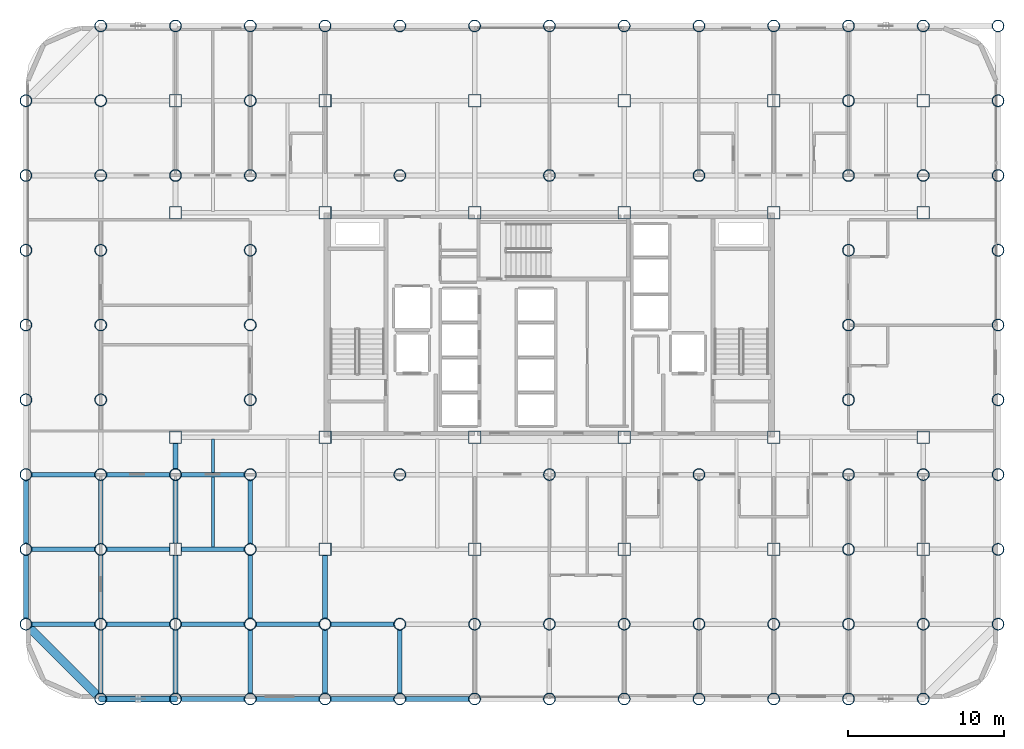
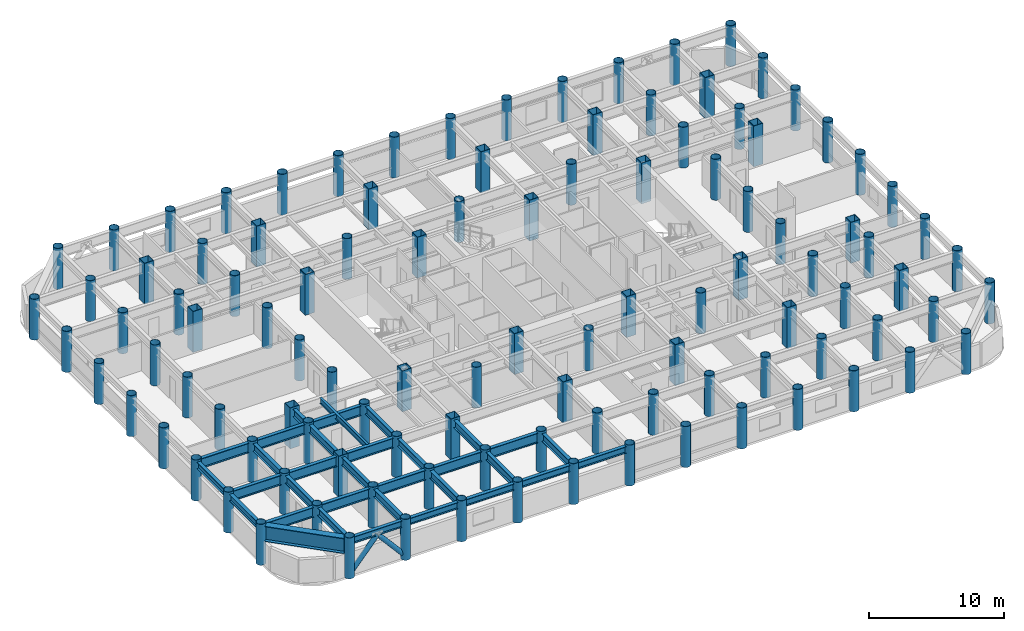
# One storey, part 1 of 21: 108 columns, 33 beams, 2 members.
"""IFC4 building model written with IfcOpenShell, lengths in metres."""

from ifc_helpers import new_model, si_unit, direction, frame, origin, origin_2d, place, context, subcontext, project, spatial, hollow_rectangle, hollow_circle, i_section, extrude, material, material_profile, profile_set, type_object, element, save


model = new_model("IFC4")

# Units and contexts
model_context = context("Model", 3, precision=1e-05, world=origin(), true_north=direction((0.0, 1.0)))
body_context = subcontext(model_context, "Body", "Model", "MODEL_VIEW")
ifc_project = project(units=[si_unit("LENGTHUNIT", "METRE"), si_unit("AREAUNIT", "SQUARE_METRE"), si_unit("VOLUMEUNIT", "CUBIC_METRE"), si_unit("PLANEANGLEUNIT", "RADIAN"), si_unit("MASSUNIT", "GRAM", prefix="KILO")], contexts=[model_context])

# Site, building, storey
site_placement = place(None, origin())
site = spatial("IfcSite", under=ifc_project, at=site_placement, CompositionType="ELEMENT")
building_placement = place(site_placement, origin())
building = spatial("IfcBuilding", under=site, at=building_placement, Name="Kallvorn Hotel Tower", CompositionType="ELEMENT")
storey_placement = place(building_placement, frame((0.0, 0.0, 41.10009765625)))
storey = spatial("IfcBuildingStorey", under=building, at=storey_placement, Name="L08", CompositionType="ELEMENT", Elevation=41.10009765625)

# Columns
ifc_material_1 = material(Name="Structural steel S355J2H", Category="steel")
ifc_material_profile_1 = material_profile(ifc_material_1, hollow_circle(Radius=0.381103515625, WallThickness=0.031982421875, at=origin_2d()), Name="CHS 762x32")
ifc_profile_set_1 = profile_set([ifc_material_profile_1], Name="Structural steel S355J2H")
column_type_1 = type_object("IfcColumnType", Name="COL_CHS_762", PredefinedType="COLUMN", material=ifc_profile_set_1)
for number, where, z_axis, x_axis, name in (
    (1, (-33.60009765625, -19.199951171875, 0.0), (0.0, 0.0, 1.0), (1.0, 0.0, 0.0), "L08 Exoskeleton Column EC01"),
    (2, (-33.60009765625, -14.39990234375, 0.0), (0.0, 0.0, 1.0), (1.0, 0.0, 0.0), "L08 Exoskeleton Column EC02"),
    (3, (-33.60009765625, -9.60009765625, 0.0), (0.0, 0.0, 1.0), (1.0, 0.0, 0.0), "L08 Exoskeleton Column EC03"),
    (4, (-33.60009765625, -4.800048828125, 0.0), (0.0, 0.0, 1.0), (1.0, 0.0, 0.0), "L08 Exoskeleton Column EC04"),
    (5, (-33.60009765625, 0.0, 0.0), (0.0, 0.0, 1.0), (1.0, 0.0, 0.0), "L08 Exoskeleton Column EC05"),
    (6, (-33.60009765625, 4.800048828125, 0.0), (0.0, 0.0, 1.0), (1.0, 0.0, 0.0), "L08 Exoskeleton Column EC06"),
    (7, (-33.60009765625, 9.60009765625, 0.0), (0.0, 0.0, 1.0), (1.0, 0.0, 0.0), "L08 Exoskeleton Column EC07"),
    (8, (-33.60009765625, 14.39990234375, 0.0), (0.0, 0.0, 1.0), (1.0, 0.0, 0.0), "L08 Exoskeleton Column EC08"),
    (9, (-28.800048828125, -24.0, 0.0), (0.0, 0.0, 1.0), (1.0, 0.0, 0.0), "L08 Exoskeleton Column EC09"),
    (10, (-28.800048828125, -19.199951171875, 0.0), (0.0, 0.0, 1.0), (1.0, 0.0, 0.0), "L08 Exoskeleton Column EC10"),
    (11, (-28.800048828125, -14.39990234375, 0.0), (0.0, 0.0, 1.0), (1.0, 0.0, 0.0), "L08 Exoskeleton Column EC11"),
    (12, (-28.800048828125, -9.60009765625, 0.0), (0.0, 0.0, 1.0), (1.0, 0.0, 0.0), "L08 Exoskeleton Column EC12"),
    (13, (-28.800048828125, -4.800048828125, 0.0), (0.0, 0.0, 1.0), (1.0, 0.0, 0.0), "L08 Exoskeleton Column EC13"),
    (14, (-28.800048828125, 0.0, 0.0), (0.0, 0.0, 1.0), (1.0, 0.0, 0.0), "L08 Exoskeleton Column EC14"),
    (15, (-28.800048828125, 4.800048828125, 0.0), (0.0, 0.0, 1.0), (1.0, 0.0, 0.0), "L08 Exoskeleton Column EC15"),
    (16, (-28.800048828125, 9.60009765625, 0.0), (0.0, 0.0, 1.0), (1.0, 0.0, 0.0), "L08 Exoskeleton Column EC16"),
    (17, (-28.800048828125, 14.39990234375, 0.0), (0.0, 0.0, 1.0), (1.0, 0.0, 0.0), "L08 Exoskeleton Column EC17"),
    (18, (-28.800048828125, 19.199951171875, 0.0), (0.0, 0.0, 1.0), (1.0, 0.0, 0.0), "L08 Exoskeleton Column EC18"),
    (19, (-24.0, -24.0, 0.0), (0.0, 0.0, 1.0), (1.0, 0.0, 0.0), "L08 Exoskeleton Column EC19"),
    (20, (-24.0, -19.199951171875, 0.0), (0.0, 0.0, 1.0), (1.0, 0.0, 0.0), "L08 Exoskeleton Column EC20"),
    (21, (-24.0, -9.60009765625, 0.0), (0.0, 0.0, 1.0), (1.0, 0.0, 0.0), "L08 Exoskeleton Column EC21"),
    (22, (-24.0, 9.60009765625, 0.0), (0.0, 0.0, 1.0), (1.0, 0.0, 0.0), "L08 Exoskeleton Column EC22"),
    (23, (-24.0, 19.199951171875, 0.0), (0.0, 0.0, 1.0), (1.0, 0.0, 0.0), "L08 Exoskeleton Column EC23"),
    (24, (-19.199951171875, -24.0, 0.0), (0.0, 0.0, 1.0), (1.0, 0.0, 0.0), "L08 Exoskeleton Column EC24"),
    (25, (-19.199951171875, -19.199951171875, 0.0), (0.0, 0.0, 1.0), (1.0, 0.0, 0.0), "L08 Exoskeleton Column EC25"),
    (26, (-19.199951171875, -14.39990234375, 0.0), (0.0, 0.0, 1.0), (1.0, 0.0, 0.0), "L08 Exoskeleton Column EC26"),
    (27, (-19.199951171875, -9.60009765625, 0.0), (0.0, 0.0, 1.0), (1.0, 0.0, 0.0), "L08 Exoskeleton Column EC27"),
    (28, (-19.199951171875, -4.800048828125, 0.0), (0.0, 0.0, 1.0), (1.0, 0.0, 0.0), "L08 Exoskeleton Column EC28"),
    (29, (-19.199951171875, 0.0, 0.0), (0.0, 0.0, 1.0), (1.0, 0.0, 0.0), "L08 Exoskeleton Column EC29"),
    (30, (-19.199951171875, 4.800048828125, 0.0), (0.0, 0.0, 1.0), (1.0, 0.0, 0.0), "L08 Exoskeleton Column EC30"),
    (31, (-19.199951171875, 9.60009765625, 0.0), (0.0, 0.0, 1.0), (1.0, 0.0, 0.0), "L08 Exoskeleton Column EC31"),
    (32, (-19.199951171875, 14.39990234375, 0.0), (0.0, 0.0, 1.0), (1.0, 0.0, 0.0), "L08 Exoskeleton Column EC32"),
    (33, (-19.199951171875, 19.199951171875, 0.0), (0.0, 0.0, 1.0), (1.0, 0.0, 0.0), "L08 Exoskeleton Column EC33"),
    (34, (-14.39990234375, -24.0, 0.0), (0.0, 0.0, 1.0), (1.0, 0.0, 0.0), "L08 Exoskeleton Column EC34"),
    (35, (-14.39990234375, -19.199951171875, 0.0), (0.0, 0.0, 1.0), (1.0, 0.0, 0.0), "L08 Exoskeleton Column EC35"),
    (36, (-14.39990234375, 19.199951171875, 0.0), (0.0, 0.0, 1.0), (1.0, 0.0, 0.0), "L08 Exoskeleton Column EC36"),
    (37, (-9.60009765625, -24.0, 0.0), (0.0, 0.0, 1.0), (1.0, 0.0, 0.0), "L08 Exoskeleton Column EC37"),
    (38, (-9.60009765625, -19.199951171875, 0.0), (0.0, 0.0, 1.0), (1.0, 0.0, 0.0), "L08 Exoskeleton Column EC38"),
    (39, (-9.60009765625, -9.60009765625, 0.0), (0.0, 0.0, 1.0), (1.0, 0.0, 0.0), "L08 Exoskeleton Column EC39"),
    (40, (-9.60009765625, 9.60009765625, 0.0), (0.0, 0.0, 1.0), (1.0, 0.0, 0.0), "L08 Exoskeleton Column EC40"),
    (41, (-9.60009765625, 19.199951171875, 0.0), (0.0, 0.0, 1.0), (1.0, 0.0, 0.0), "L08 Exoskeleton Column EC41"),
    (42, (-4.800048828125, -24.0, 0.0), (0.0, 0.0, 1.0), (1.0, 0.0, 0.0), "L08 Exoskeleton Column EC42"),
    (43, (-4.800048828125, -19.199951171875, 0.0), (0.0, 0.0, 1.0), (1.0, 0.0, 0.0), "L08 Exoskeleton Column EC43"),
    (44, (-4.800048828125, 19.199951171875, 0.0), (0.0, 0.0, 1.0), (1.0, 0.0, 0.0), "L08 Exoskeleton Column EC44"),
    (45, (0.0, -24.0, 0.0), (0.0, 0.0, 1.0), (1.0, 0.0, 0.0), "L08 Exoskeleton Column EC45"),
    (46, (0.0, -19.199951171875, 0.0), (0.0, 0.0, 1.0), (1.0, 0.0, 0.0), "L08 Exoskeleton Column EC46"),
    (47, (0.0, -9.60009765625, 0.0), (0.0, 0.0, 1.0), (1.0, 0.0, 0.0), "L08 Exoskeleton Column EC47"),
    (48, (0.0, 9.60009765625, 0.0), (0.0, 0.0, 1.0), (1.0, 0.0, 0.0), "L08 Exoskeleton Column EC48"),
    (49, (0.0, 19.199951171875, 0.0), (0.0, 0.0, 1.0), (1.0, 0.0, 0.0), "L08 Exoskeleton Column EC49"),
    (50, (4.800048828125, -24.0, 0.0), (0.0, 0.0, 1.0), (1.0, 0.0, 0.0), "L08 Exoskeleton Column EC50"),
    (51, (4.800048828125, -19.199951171875, 0.0), (0.0, 0.0, 1.0), (1.0, 0.0, 0.0), "L08 Exoskeleton Column EC51"),
    (52, (4.800048828125, 19.199951171875, 0.0), (0.0, 0.0, 1.0), (1.0, 0.0, 0.0), "L08 Exoskeleton Column EC52"),
    (53, (9.60009765625, -24.0, 0.0), (0.0, 0.0, 1.0), (1.0, 0.0, 0.0), "L08 Exoskeleton Column EC53"),
    (54, (9.60009765625, -19.199951171875, 0.0), (0.0, 0.0, 1.0), (1.0, 0.0, 0.0), "L08 Exoskeleton Column EC54"),
    (55, (9.60009765625, -9.60009765625, 0.0), (0.0, 0.0, 1.0), (1.0, 0.0, 0.0), "L08 Exoskeleton Column EC55"),
    (56, (9.60009765625, 9.60009765625, 0.0), (0.0, 0.0, 1.0), (1.0, 0.0, 0.0), "L08 Exoskeleton Column EC56"),
    (57, (9.60009765625, 19.199951171875, 0.0), (0.0, 0.0, 1.0), (1.0, 0.0, 0.0), "L08 Exoskeleton Column EC57"),
    (58, (14.39990234375, -24.0, 0.0), (0.0, 0.0, 1.0), (1.0, 0.0, 0.0), "L08 Exoskeleton Column EC58"),
    (59, (14.39990234375, -19.199951171875, 0.0), (0.0, 0.0, 1.0), (1.0, 0.0, 0.0), "L08 Exoskeleton Column EC59"),
    (60, (14.39990234375, 19.199951171875, 0.0), (0.0, 0.0, 1.0), (1.0, 0.0, 0.0), "L08 Exoskeleton Column EC60"),
    (61, (19.199951171875, -24.0, 0.0), (0.0, 0.0, 1.0), (1.0, 0.0, 0.0), "L08 Exoskeleton Column EC61"),
    (62, (19.199951171875, -19.199951171875, 0.0), (0.0, 0.0, 1.0), (1.0, 0.0, 0.0), "L08 Exoskeleton Column EC62"),
    (63, (19.199951171875, -14.39990234375, 0.0), (0.0, 0.0, 1.0), (1.0, 0.0, 0.0), "L08 Exoskeleton Column EC63"),
    (64, (19.199951171875, -9.60009765625, 0.0), (0.0, 0.0, 1.0), (1.0, 0.0, 0.0), "L08 Exoskeleton Column EC64"),
    (65, (19.199951171875, -4.800048828125, 0.0), (0.0, 0.0, 1.0), (1.0, 0.0, 0.0), "L08 Exoskeleton Column EC65"),
    (66, (19.199951171875, 0.0, 0.0), (0.0, 0.0, 1.0), (1.0, 0.0, 0.0), "L08 Exoskeleton Column EC66"),
    (67, (19.199951171875, 4.800048828125, 0.0), (0.0, 0.0, 1.0), (1.0, 0.0, 0.0), "L08 Exoskeleton Column EC67"),
    (68, (19.199951171875, 9.60009765625, 0.0), (0.0, 0.0, 1.0), (1.0, 0.0, 0.0), "L08 Exoskeleton Column EC68"),
    (69, (19.199951171875, 14.39990234375, 0.0), (0.0, 0.0, 1.0), (1.0, 0.0, 0.0), "L08 Exoskeleton Column EC69"),
    (70, (19.199951171875, 19.199951171875, 0.0), (0.0, 0.0, 1.0), (1.0, 0.0, 0.0), "L08 Exoskeleton Column EC70"),
    (71, (24.0, -24.0, 0.0), (0.0, 0.0, 1.0), (1.0, 0.0, 0.0), "L08 Exoskeleton Column EC71"),
    (72, (24.0, -19.199951171875, 0.0), (0.0, 0.0, 1.0), (1.0, 0.0, 0.0), "L08 Exoskeleton Column EC72"),
    (73, (24.0, -9.60009765625, 0.0), (0.0, 0.0, 1.0), (1.0, 0.0, 0.0), "L08 Exoskeleton Column EC73"),
    (74, (24.0, 9.60009765625, 0.0), (0.0, 0.0, 1.0), (1.0, 0.0, 0.0), "L08 Exoskeleton Column EC74"),
    (75, (24.0, 19.199951171875, 0.0), (0.0, 0.0, 1.0), (1.0, 0.0, 0.0), "L08 Exoskeleton Column EC75"),
    (76, (28.800048828125, -19.199951171875, 0.0), (0.0, 0.0, 1.0), (1.0, 0.0, 0.0), "L08 Exoskeleton Column EC76"),
    (77, (28.800048828125, -14.39990234375, 0.0), (0.0, 0.0, 1.0), (1.0, 0.0, 0.0), "L08 Exoskeleton Column EC77"),
    (78, (28.800048828125, -9.60009765625, 0.0), (0.0, 0.0, 1.0), (1.0, 0.0, 0.0), "L08 Exoskeleton Column EC78"),
    (79, (28.800048828125, -4.800048828125, 0.0), (0.0, 0.0, 1.0), (1.0, 0.0, 0.0), "L08 Exoskeleton Column EC79"),
    (80, (28.800048828125, 0.0, 0.0), (0.0, 0.0, 1.0), (1.0, 0.0, 0.0), "L08 Exoskeleton Column EC80"),
    (81, (28.800048828125, 4.800048828125, 0.0), (0.0, 0.0, 1.0), (1.0, 0.0, 0.0), "L08 Exoskeleton Column EC81"),
    (82, (28.800048828125, 9.60009765625, 0.0), (0.0, 0.0, 1.0), (1.0, 0.0, 0.0), "L08 Exoskeleton Column EC82"),
    (83, (28.800048828125, 14.39990234375, 0.0), (0.0, 0.0, 1.0), (1.0, 0.0, 0.0), "L08 Exoskeleton Column EC83"),
    (84, (28.800048828125, 19.199951171875, 0.0), (0.0, 0.0, 1.0), (1.0, 0.0, 0.0), "L08 Exoskeleton Column EC84"),
):
    element("IfcColumn", number, at=place(storey_placement, frame(where, z_axis=z_axis, x_axis=x_axis)), inside=storey, type_object=column_type_1, Name=name, PredefinedType="COLUMN", context=body_context, shape_type="SweptSolid", body=[
        extrude(hollow_circle(Radius=0.381103515625, WallThickness=0.031982421875, at=origin_2d()), origin(), (0.0, 0.0, 1.0), 3.699951171875),
    ])
ifc_material_2 = material(Name="Structural steel S355J2H", Category="steel")
ifc_material_profile_2 = material_profile(ifc_material_2, hollow_rectangle(XDim=0.800048828125, YDim=0.800048828125, WallThickness=0.035888671875, at=origin_2d()), Name="RHS 800x800x36")
ifc_profile_set_2 = profile_set([ifc_material_profile_2], Name="Structural steel S355J2H")
column_type_2 = type_object("IfcColumnType", Name="COL_RHS_800", PredefinedType="COLUMN", material=ifc_profile_set_2)
for number, where, z_axis, x_axis, name in (
    (85, (-24.0, -14.39990234375, 0.0), (0.0, 0.0, 1.0), (1.0, 0.0, 0.0), "L08 Inner Column IC01"),
    (86, (-24.0, -7.199951171875, 0.0), (0.0, 0.0, 1.0), (1.0, 0.0, 0.0), "L08 Inner Column IC02"),
    (87, (-24.0, 7.199951171875, 0.0), (0.0, 0.0, 1.0), (1.0, 0.0, 0.0), "L08 Inner Column IC03"),
    (88, (-24.0, 14.39990234375, 0.0), (0.0, 0.0, 1.0), (1.0, 0.0, 0.0), "L08 Inner Column IC04"),
    (89, (-14.39990234375, -14.39990234375, 0.0), (0.0, 0.0, 1.0), (1.0, 0.0, 0.0), "L08 Inner Column IC05"),
    (90, (-14.39990234375, -7.199951171875, 0.0), (0.0, 0.0, 1.0), (1.0, 0.0, 0.0), "L08 Inner Column IC06"),
    (91, (-14.39990234375, 7.199951171875, 0.0), (0.0, 0.0, 1.0), (1.0, 0.0, 0.0), "L08 Inner Column IC07"),
    (92, (-14.39990234375, 14.39990234375, 0.0), (0.0, 0.0, 1.0), (1.0, 0.0, 0.0), "L08 Inner Column IC08"),
    (93, (-4.800048828125, -14.39990234375, 0.0), (0.0, 0.0, 1.0), (1.0, 0.0, 0.0), "L08 Inner Column IC09"),
    (94, (-4.800048828125, -7.199951171875, 0.0), (0.0, 0.0, 1.0), (1.0, 0.0, 0.0), "L08 Inner Column IC10"),
    (95, (-4.800048828125, 7.199951171875, 0.0), (0.0, 0.0, 1.0), (1.0, 0.0, 0.0), "L08 Inner Column IC11"),
    (96, (-4.800048828125, 14.39990234375, 0.0), (0.0, 0.0, 1.0), (1.0, 0.0, 0.0), "L08 Inner Column IC12"),
    (97, (4.800048828125, -14.39990234375, 0.0), (0.0, 0.0, 1.0), (1.0, 0.0, 0.0), "L08 Inner Column IC13"),
    (98, (4.800048828125, -7.199951171875, 0.0), (0.0, 0.0, 1.0), (1.0, 0.0, 0.0), "L08 Inner Column IC14"),
    (99, (4.800048828125, 7.199951171875, 0.0), (0.0, 0.0, 1.0), (1.0, 0.0, 0.0), "L08 Inner Column IC15"),
    (100, (4.800048828125, 14.39990234375, 0.0), (0.0, 0.0, 1.0), (1.0, 0.0, 0.0), "L08 Inner Column IC16"),
    (101, (14.39990234375, -14.39990234375, 0.0), (0.0, 0.0, 1.0), (1.0, 0.0, 0.0), "L08 Inner Column IC17"),
    (102, (14.39990234375, -7.199951171875, 0.0), (0.0, 0.0, 1.0), (1.0, 0.0, 0.0), "L08 Inner Column IC18"),
    (103, (14.39990234375, 7.199951171875, 0.0), (0.0, 0.0, 1.0), (1.0, 0.0, 0.0), "L08 Inner Column IC19"),
    (104, (14.39990234375, 14.39990234375, 0.0), (0.0, 0.0, 1.0), (1.0, 0.0, 0.0), "L08 Inner Column IC20"),
    (105, (24.0, -14.39990234375, 0.0), (0.0, 0.0, 1.0), (1.0, 0.0, 0.0), "L08 Inner Column IC21"),
    (106, (24.0, -7.199951171875, 0.0), (0.0, 0.0, 1.0), (1.0, 0.0, 0.0), "L08 Inner Column IC22"),
    (107, (24.0, 7.199951171875, 0.0), (0.0, 0.0, 1.0), (1.0, 0.0, 0.0), "L08 Inner Column IC23"),
    (108, (24.0, 14.39990234375, 0.0), (0.0, 0.0, 1.0), (1.0, 0.0, 0.0), "L08 Inner Column IC24"),
):
    element("IfcColumn", number, at=place(storey_placement, frame(where, z_axis=z_axis, x_axis=x_axis)), inside=storey, type_object=column_type_2, Name=name, PredefinedType="COLUMN", context=body_context, shape_type="SweptSolid", body=[
        extrude(hollow_rectangle(XDim=0.800048828125, YDim=0.800048828125, WallThickness=0.035888671875, at=origin_2d()), origin(), (0.0, 0.0, 1.0), 3.699951171875),
    ])

# Beams
ifc_material_3 = material(Name="Structural steel S355JR", Category="steel")
ifc_material_profile_3 = material_profile(ifc_material_3, i_section(OverallWidth=0.300048828125, OverallDepth=0.60009765625, WebThickness=0.015380859375, FlangeThickness=0.030029296875, at=origin_2d()), Name="HE 600 B")
ifc_profile_set_3 = profile_set([ifc_material_profile_3], Name="Structural steel S355JR")
beam_type_1 = type_object("IfcBeamType", Name="BM_HE600B", PredefinedType="SPANDREL", material=ifc_profile_set_3)
for number, where, z_axis, x_axis, name in (
    (109, (-28.428955078125, -24.0, 3.219970703125), (1.0, 0.0, 0.0), (0.0, 1.0, 0.0), "L09 Perimeter Spandrel 151"),
    (110, (-23.62890625, -24.0, 3.219970703125), (1.0, 0.0, 0.0), (0.0, 1.0, 0.0), "L09 Perimeter Spandrel 152"),
):
    element("IfcBeam", number, at=place(storey_placement, frame(where, z_axis=z_axis, x_axis=x_axis)), inside=storey, type_object=beam_type_1, Name=name, PredefinedType="SPANDREL", context=body_context, shape_type="SweptSolid", body=[
        extrude(i_section(OverallWidth=0.300048828125, OverallDepth=0.60009765625, WebThickness=0.015380859375, FlangeThickness=0.030029296875, at=origin_2d()), origin(), (0.0, 0.0, 1.0), 4.057861328125),
    ])
for number, where, z_axis, x_axis, name in (
    (111, (-18.8291015625, -24.0, 3.219970703125), (1.0, 0.0, 0.0), (0.0, 1.0, 0.0), "L09 Perimeter Spandrel 153"),
    (112, (-14.029052734375, -24.0, 3.219970703125), (1.0, 0.0, 0.0), (0.0, 1.0, 0.0), "L09 Perimeter Spandrel 154"),
    (113, (-9.22900390625, -24.0, 3.219970703125), (1.0, 0.0, 0.0), (0.0, 1.0, 0.0), "L09 Perimeter Spandrel 155"),
    (114, (-33.60009765625, -18.8291015625, 3.219970703125), (0.0, 1.0, 0.0), (-1.0, 0.0, 0.0), "L09 Perimeter Spandrel 174"),
    (115, (-33.60009765625, -14.029052734375, 3.219970703125), (0.0, 1.0, 0.0), (-1.0, 0.0, 0.0), "L09 Perimeter Spandrel 175"),
):
    element("IfcBeam", number, at=place(storey_placement, frame(where, z_axis=z_axis, x_axis=x_axis)), inside=storey, type_object=beam_type_1, Name=name, PredefinedType="SPANDREL", context=body_context, shape_type="SweptSolid", body=[
        extrude(i_section(OverallWidth=0.300048828125, OverallDepth=0.60009765625, WebThickness=0.015380859375, FlangeThickness=0.030029296875, at=origin_2d()), origin(), (0.0, 0.0, 1.0), 4.05810546875),
    ])
ifc_material_4 = material(Name="Structural steel S355JR", Category="steel")
ifc_material_profile_4 = material_profile(ifc_material_4, i_section(OverallWidth=0.300048828125, OverallDepth=0.699951171875, WebThickness=0.01708984375, FlangeThickness=0.031982421875, at=origin_2d()), Name="HE 700 B")
ifc_profile_set_4 = profile_set([ifc_material_profile_4], Name="Structural steel S355JR")
beam_type_2 = type_object("IfcBeamType", Name="BM_HE700B", PredefinedType="BEAM", material=ifc_profile_set_4)
beam_1_placement = place(storey_placement, frame((-28.800048828125, -23.64404296875, 3.169921875), z_axis=(0.0, 1.0, 0.0), x_axis=(-1.0, 0.0, 0.0)))
element("IfcBeam", 116, at=beam_1_placement, inside=storey, type_object=beam_type_2, Name="L09 Primary Y-Girder 73", PredefinedType="BEAM", context=body_context, shape_type="SweptSolid", body=[
    extrude(i_section(OverallWidth=0.300048828125, OverallDepth=0.699951171875, WebThickness=0.01708984375, FlangeThickness=0.031982421875, at=origin_2d()), origin(), (0.0, 0.0, 1.0), 4.088134765625),
])
for number, where, z_axis, x_axis, name in (
    (117, (-28.800048828125, -18.843994140625, 3.169921875), (0.0, 1.0, 0.0), (-1.0, 0.0, 0.0), "L09 Primary Y-Girder 74"),
    (118, (-28.800048828125, -14.0439453125, 3.169921875), (0.0, 1.0, 0.0), (-1.0, 0.0, 0.0), "L09 Primary Y-Girder 75"),
):
    element("IfcBeam", number, at=place(storey_placement, frame(where, z_axis=z_axis, x_axis=x_axis)), inside=storey, type_object=beam_type_2, Name=name, PredefinedType="BEAM", context=body_context, shape_type="SweptSolid", body=[
        extrude(i_section(OverallWidth=0.300048828125, OverallDepth=0.699951171875, WebThickness=0.01708984375, FlangeThickness=0.031982421875, at=origin_2d()), origin(), (0.0, 0.0, 1.0), 4.087890625),
    ])
beam_2_placement = place(storey_placement, frame((-24.0, -23.64404296875, 3.169921875), z_axis=(0.0, 1.0, 0.0), x_axis=(-1.0, 0.0, 0.0)))
element("IfcBeam", 119, at=beam_2_placement, inside=storey, type_object=beam_type_2, Name="L09 Primary Y-Girder 82", PredefinedType="BEAM", context=body_context, shape_type="SweptSolid", body=[
    extrude(i_section(OverallWidth=0.300048828125, OverallDepth=0.699951171875, WebThickness=0.01708984375, FlangeThickness=0.031982421875, at=origin_2d()), origin(), (0.0, 0.0, 1.0), 4.088134765625),
])
beam_3_placement = place(storey_placement, frame((-24.0, -18.843994140625, 3.169921875), z_axis=(0.0, 1.0, 0.0), x_axis=(-1.0, 0.0, 0.0)))
element("IfcBeam", 120, at=beam_3_placement, inside=storey, type_object=beam_type_2, Name="L09 Primary Y-Girder 83", PredefinedType="BEAM", context=body_context, shape_type="SweptSolid", body=[
    extrude(i_section(OverallWidth=0.300048828125, OverallDepth=0.699951171875, WebThickness=0.01708984375, FlangeThickness=0.031982421875, at=origin_2d()), origin(), (0.0, 0.0, 1.0), 4.069091796875),
])
beam_4_placement = place(storey_placement, frame((-24.0, -14.02490234375, 3.169921875), z_axis=(0.0, 1.0, 0.0), x_axis=(-1.0, 0.0, 0.0)))
element("IfcBeam", 121, at=beam_4_placement, inside=storey, type_object=beam_type_2, Name="L09 Primary Y-Girder 84", PredefinedType="BEAM", context=body_context, shape_type="SweptSolid", body=[
    extrude(i_section(OverallWidth=0.300048828125, OverallDepth=0.699951171875, WebThickness=0.01708984375, FlangeThickness=0.031982421875, at=origin_2d()), origin(), (0.0, 0.0, 1.0), 4.06884765625),
])
beam_5_placement = place(storey_placement, frame((-24.0, -9.243896484375, 3.169921875), z_axis=(0.0, 1.0, 0.0), x_axis=(-1.0, 0.0, 0.0)))
element("IfcBeam", 122, at=beam_5_placement, inside=storey, type_object=beam_type_2, Name="L09 Primary Y-Girder 85", PredefinedType="BEAM", context=body_context, shape_type="SweptSolid", body=[
    extrude(i_section(OverallWidth=0.300048828125, OverallDepth=0.699951171875, WebThickness=0.01708984375, FlangeThickness=0.031982421875, at=origin_2d()), origin(), (0.0, 0.0, 1.0), 1.6689453125),
])
beam_6_placement = place(storey_placement, frame((-19.199951171875, -23.64404296875, 3.169921875), z_axis=(0.0, 1.0, 0.0), x_axis=(-1.0, 0.0, 0.0)))
element("IfcBeam", 123, at=beam_6_placement, inside=storey, type_object=beam_type_2, Name="L09 Primary Y-Girder 89", PredefinedType="BEAM", context=body_context, shape_type="SweptSolid", body=[
    extrude(i_section(OverallWidth=0.300048828125, OverallDepth=0.699951171875, WebThickness=0.01708984375, FlangeThickness=0.031982421875, at=origin_2d()), origin(), (0.0, 0.0, 1.0), 4.088134765625),
])
for number, where, z_axis, x_axis, name in (
    (124, (-19.199951171875, -18.843994140625, 3.169921875), (0.0, 1.0, 0.0), (-1.0, 0.0, 0.0), "L09 Primary Y-Girder 90"),
    (125, (-19.199951171875, -14.0439453125, 3.169921875), (0.0, 1.0, 0.0), (-1.0, 0.0, 0.0), "L09 Primary Y-Girder 91"),
):
    element("IfcBeam", number, at=place(storey_placement, frame(where, z_axis=z_axis, x_axis=x_axis)), inside=storey, type_object=beam_type_2, Name=name, PredefinedType="BEAM", context=body_context, shape_type="SweptSolid", body=[
        extrude(i_section(OverallWidth=0.300048828125, OverallDepth=0.699951171875, WebThickness=0.01708984375, FlangeThickness=0.031982421875, at=origin_2d()), origin(), (0.0, 0.0, 1.0), 4.087890625),
    ])
beam_7_placement = place(storey_placement, frame((-14.39990234375, -23.64404296875, 3.169921875), z_axis=(0.0, 1.0, 0.0), x_axis=(-1.0, 0.0, 0.0)))
element("IfcBeam", 126, at=beam_7_placement, inside=storey, type_object=beam_type_2, Name="L09 Primary Y-Girder 98", PredefinedType="BEAM", context=body_context, shape_type="SweptSolid", body=[
    extrude(i_section(OverallWidth=0.300048828125, OverallDepth=0.699951171875, WebThickness=0.01708984375, FlangeThickness=0.031982421875, at=origin_2d()), origin(), (0.0, 0.0, 1.0), 4.088134765625),
])
beam_8_placement = place(storey_placement, frame((-14.39990234375, -18.843994140625, 3.169921875), z_axis=(0.0, 1.0, 0.0), x_axis=(-1.0, 0.0, 0.0)))
element("IfcBeam", 127, at=beam_8_placement, inside=storey, type_object=beam_type_2, Name="L09 Primary Y-Girder 99", PredefinedType="BEAM", context=body_context, shape_type="SweptSolid", body=[
    extrude(i_section(OverallWidth=0.300048828125, OverallDepth=0.699951171875, WebThickness=0.01708984375, FlangeThickness=0.031982421875, at=origin_2d()), origin(), (0.0, 0.0, 1.0), 4.069091796875),
])
beam_9_placement = place(storey_placement, frame((-9.60009765625, -23.64404296875, 3.169921875), z_axis=(0.0, 1.0, 0.0), x_axis=(-1.0, 0.0, 0.0)))
element("IfcBeam", 128, at=beam_9_placement, inside=storey, type_object=beam_type_2, Name="L09 Primary Y-Girder 103", PredefinedType="BEAM", context=body_context, shape_type="SweptSolid", body=[
    extrude(i_section(OverallWidth=0.300048828125, OverallDepth=0.699951171875, WebThickness=0.01708984375, FlangeThickness=0.031982421875, at=origin_2d()), origin(), (0.0, 0.0, 1.0), 4.088134765625),
])
ifc_material_5 = material(Name="Structural steel S355JR", Category="steel")
ifc_material_profile_5 = material_profile(ifc_material_5, i_section(OverallWidth=0.300048828125, OverallDepth=0.89990234375, WebThickness=0.0185546875, FlangeThickness=0.034912109375, at=origin_2d()), Name="HE 900 B")
ifc_profile_set_5 = profile_set([ifc_material_profile_5], Name="Structural steel S355JR")
beam_type_3 = type_object("IfcBeamType", Name="BM_HE900B", PredefinedType="BEAM", material=ifc_profile_set_5)
beam_10_placement = place(storey_placement, frame((-33.243896484375, -19.199951171875, 3.06982421875), z_axis=(1.0, 0.0, 0.0), x_axis=(0.0, 1.0, 0.0)))
element("IfcBeam", 129, at=beam_10_placement, inside=storey, type_object=beam_type_3, Name="L09 Primary X-Girder 01", PredefinedType="BEAM", context=body_context, shape_type="SweptSolid", body=[
    extrude(i_section(OverallWidth=0.300048828125, OverallDepth=0.89990234375, WebThickness=0.0185546875, FlangeThickness=0.034912109375, at=origin_2d()), origin(), (0.0, 0.0, 1.0), 4.087890625),
])
for number, where, z_axis, x_axis, name in (
    (130, (-28.444091796875, -19.199951171875, 3.06982421875), (1.0, 0.0, 0.0), (0.0, 1.0, 0.0), "L09 Primary X-Girder 02"),
    (131, (-23.64404296875, -19.199951171875, 3.06982421875), (1.0, 0.0, 0.0), (0.0, 1.0, 0.0), "L09 Primary X-Girder 03"),
):
    element("IfcBeam", number, at=place(storey_placement, frame(where, z_axis=z_axis, x_axis=x_axis)), inside=storey, type_object=beam_type_3, Name=name, PredefinedType="BEAM", context=body_context, shape_type="SweptSolid", body=[
        extrude(i_section(OverallWidth=0.300048828125, OverallDepth=0.89990234375, WebThickness=0.0185546875, FlangeThickness=0.034912109375, at=origin_2d()), origin(), (0.0, 0.0, 1.0), 4.088134765625),
    ])
for number, where, z_axis, x_axis, name in (
    (132, (-18.843994140625, -19.199951171875, 3.06982421875), (1.0, 0.0, 0.0), (0.0, 1.0, 0.0), "L09 Primary X-Girder 04"),
    (133, (-14.0439453125, -19.199951171875, 3.06982421875), (1.0, 0.0, 0.0), (0.0, 1.0, 0.0), "L09 Primary X-Girder 05"),
    (134, (-33.243896484375, -14.39990234375, 3.06982421875), (1.0, 0.0, 0.0), (0.0, 1.0, 0.0), "L09 Primary X-Girder 14"),
):
    element("IfcBeam", number, at=place(storey_placement, frame(where, z_axis=z_axis, x_axis=x_axis)), inside=storey, type_object=beam_type_3, Name=name, PredefinedType="BEAM", context=body_context, shape_type="SweptSolid", body=[
        extrude(i_section(OverallWidth=0.300048828125, OverallDepth=0.89990234375, WebThickness=0.0185546875, FlangeThickness=0.034912109375, at=origin_2d()), origin(), (0.0, 0.0, 1.0), 4.087890625),
    ])
for number, where, z_axis, x_axis, name in (
    (135, (-28.444091796875, -14.39990234375, 3.06982421875), (1.0, 0.0, 0.0), (0.0, 1.0, 0.0), "L09 Primary X-Girder 15"),
    (136, (-23.625, -14.39990234375, 3.06982421875), (1.0, 0.0, 0.0), (0.0, 1.0, 0.0), "L09 Primary X-Girder 16"),
):
    element("IfcBeam", number, at=place(storey_placement, frame(where, z_axis=z_axis, x_axis=x_axis)), inside=storey, type_object=beam_type_3, Name=name, PredefinedType="BEAM", context=body_context, shape_type="SweptSolid", body=[
        extrude(i_section(OverallWidth=0.300048828125, OverallDepth=0.89990234375, WebThickness=0.0185546875, FlangeThickness=0.034912109375, at=origin_2d()), origin(), (0.0, 0.0, 1.0), 4.069091796875),
    ])
beam_11_placement = place(storey_placement, frame((-33.243896484375, -9.60009765625, 3.06982421875), z_axis=(1.0, 0.0, 0.0), x_axis=(0.0, 1.0, 0.0)))
element("IfcBeam", 137, at=beam_11_placement, inside=storey, type_object=beam_type_3, Name="L09 Primary X-Girder 24", PredefinedType="BEAM", context=body_context, shape_type="SweptSolid", body=[
    extrude(i_section(OverallWidth=0.300048828125, OverallDepth=0.89990234375, WebThickness=0.0185546875, FlangeThickness=0.034912109375, at=origin_2d()), origin(), (0.0, 0.0, 1.0), 4.087890625),
])
for number, where, z_axis, x_axis, name in (
    (138, (-28.444091796875, -9.60009765625, 3.06982421875), (1.0, 0.0, 0.0), (0.0, 1.0, 0.0), "L09 Primary X-Girder 25"),
    (139, (-23.64404296875, -9.60009765625, 3.06982421875), (1.0, 0.0, 0.0), (0.0, 1.0, 0.0), "L09 Primary X-Girder 26"),
):
    element("IfcBeam", number, at=place(storey_placement, frame(where, z_axis=z_axis, x_axis=x_axis)), inside=storey, type_object=beam_type_3, Name=name, PredefinedType="BEAM", context=body_context, shape_type="SweptSolid", body=[
        extrude(i_section(OverallWidth=0.300048828125, OverallDepth=0.89990234375, WebThickness=0.0185546875, FlangeThickness=0.034912109375, at=origin_2d()), origin(), (0.0, 0.0, 1.0), 4.088134765625),
    ])
ifc_material_6 = material(Name="Structural steel S355JR", Category="steel")
ifc_material_profile_6 = material_profile(ifc_material_6, i_section(OverallWidth=0.199951171875, OverallDepth=0.5, WebThickness=0.01025390625, FlangeThickness=0.01611328125, at=origin_2d()), Name="IPE 500")
ifc_profile_set_6 = profile_set([ifc_material_profile_6], Name="Structural steel S355JR")
beam_type_4 = type_object("IfcBeamType", Name="BM_IPE500", PredefinedType="JOIST", material=ifc_profile_set_6)
beam_12_placement = place(storey_placement, frame((-21.60009765625, -14.300048828125, 3.27001953125), z_axis=(0.0, 1.0, 0.0), x_axis=(-1.0, 0.0, 0.0)))
element("IfcBeam", 140, at=beam_12_placement, inside=storey, type_object=beam_type_4, Name="L09 Secondary Composite Joist 192", PredefinedType="JOIST", context=body_context, shape_type="SweptSolid", body=[
    extrude(i_section(OverallWidth=0.199951171875, OverallDepth=0.5, WebThickness=0.01025390625, FlangeThickness=0.01611328125, at=origin_2d()), origin(), (0.0, 0.0, 1.0), 7.0),
])
ifc_material_7 = material(Name="Structural steel S355JR", Category="steel")
ifc_material_profile_7 = material_profile(ifc_material_7, i_section(OverallWidth=0.550048828125, OverallDepth=1.39990234375, WebThickness=0.02490234375, FlangeThickness=0.044921875, at=origin_2d()), Name="PG 1400x550x25x45")
ifc_profile_set_7 = profile_set([ifc_material_profile_7], Name="Structural steel S355JR")
beam_type_5 = type_object("IfcBeamType", Name="BM_PG_1400", PredefinedType="BEAM", material=ifc_profile_set_7)
beam_13_placement = place(storey_placement, frame((-33.337646484375, -19.46240234375, 2.81982421875), z_axis=(0.707106781187, -0.707106781187, 0.0), x_axis=(0.707106781187, 0.707106781187, 0.0)))
element("IfcBeam", 141, at=beam_13_placement, inside=storey, type_object=beam_type_5, Name="L09 Rounded Corner Tie Beam 189", PredefinedType="BEAM", context=body_context, shape_type="SweptSolid", body=[
    extrude(i_section(OverallWidth=0.550048828125, OverallDepth=1.39990234375, WebThickness=0.02490234375, FlangeThickness=0.044921875, at=origin_2d()), origin(), (0.0, 0.0, 1.0), 6.04638671875),
])

# Members
ifc_material_8 = material(Name="Structural steel S355J2H", Category="steel")
ifc_material_profile_8 = material_profile(ifc_material_8, hollow_circle(Radius=0.203125, WallThickness=0.01611328125, at=origin_2d()), Name="CHS 406.4x16")
ifc_profile_set_8 = profile_set([ifc_material_profile_8], Name="Structural steel S355J2H")
member_type = type_object("IfcMemberType", Name="MBR_EXO_CHS406", PredefinedType="BRACE", material=ifc_profile_set_8)
for number, where, z_axis, x_axis, name in (
    (142, (-28.786865234375, -24.0, 0.195068359375), (0.65346062529, 0.0, 0.756960508346), (0.0, 1.0, 0.0), "L08 Exoskeleton K-Brace S1A"),
    (143, (-24.01318359375, -24.0, 0.195068359375), (-0.65346062529, 0.0, 0.756960508346), (0.0, -1.0, 0.0), "L08 Exoskeleton K-Brace S1B"),
):
    element("IfcMember", number, at=place(storey_placement, frame(where, z_axis=z_axis, x_axis=x_axis)), inside=storey, type_object=member_type, Name=name, PredefinedType="BRACE", context=body_context, shape_type="SweptSolid", body=[
        extrude(hollow_circle(Radius=0.203125, WallThickness=0.01611328125, at=origin_2d()), origin(), (0.0, 0.0, 1.0), 3.632568359375),
    ])

save(model, "model.ifc")
